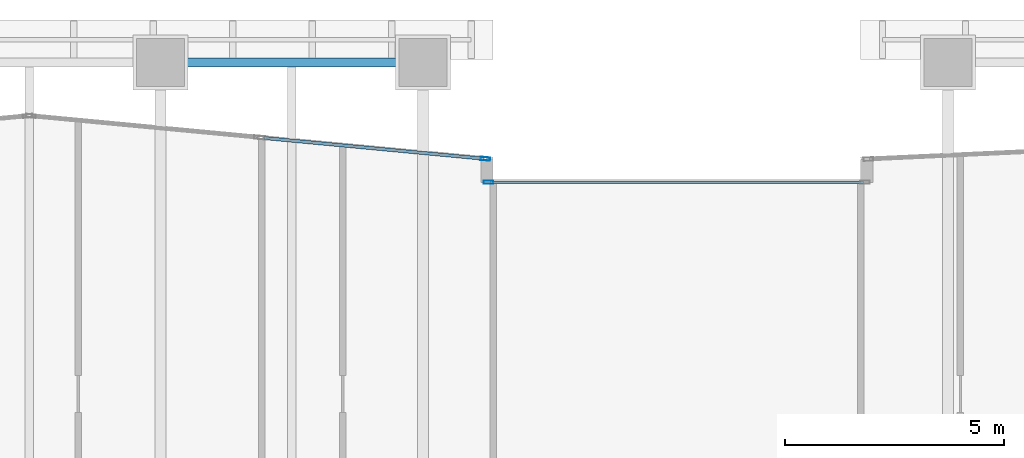
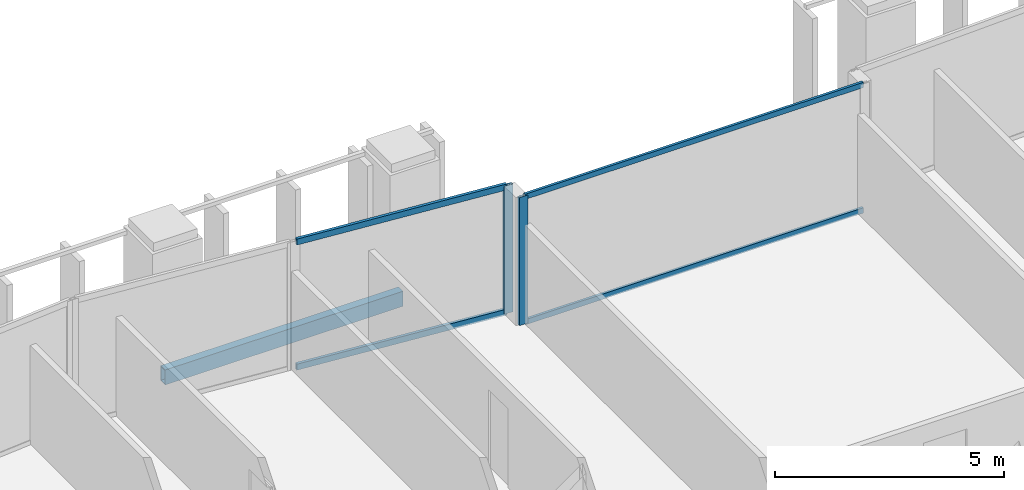
# One storey, part 10 of 32: 6 members, 1 beam, 2 elements without a shape of their own.
"""IFC4 building model written with IfcOpenShell, lengths in metres."""

from ifc_helpers import new_model, si_unit, direction, frame, origin, origin_2d, place, context, subcontext, project, spatial, hollow_rectangle, extrude, material, layer, layer_set, material_profile, profile_set, type_object, element, aggregate, save


model = new_model("IFC4")

# Units and contexts
model_context = context("Model", 3, precision=1e-05, world=origin(), true_north=direction((0.0, 1.0)))
body_context = subcontext(model_context, "Body", "Model", "MODEL_VIEW")
ifc_project = project(units=[si_unit("LENGTHUNIT", "METRE"), si_unit("AREAUNIT", "SQUARE_METRE"), si_unit("VOLUMEUNIT", "CUBIC_METRE"), si_unit("PLANEANGLEUNIT", "RADIAN"), si_unit("MASSUNIT", "GRAM", prefix="KILO")], contexts=[model_context])

# Site, building, storey
site_placement = place(None, origin())
site = spatial("IfcSite", under=ifc_project, at=site_placement, CompositionType="ELEMENT")
building_placement = place(site_placement, origin())
building = spatial("IfcBuilding", under=site, at=building_placement, Name="Tanjung Sevakor Pilgrim Tower", CompositionType="ELEMENT")
storey_placement = place(building_placement, frame((0.0, 0.0, 62.3701171875)))
storey = spatial("IfcBuildingStorey", under=building, at=storey_placement, Name="L17", CompositionType="ELEMENT", Elevation=62.3701171875)

# Beam
ifc_material_1 = material(Name="Steel S355J2", Category="steel")
ifc_material_profile_1 = material_profile(ifc_material_1, hollow_rectangle(XDim=0.199951171875, YDim=0.39990234375, WallThickness=0.01611328125, at=origin_2d()))
ifc_profile_set_1 = profile_set([ifc_material_profile_1], Name="Steel S355J2")
beam_type = type_object("IfcBeamType", Name="BM-B-SP2-RHS_400x200x16", PredefinedType="SPANDREL", material=ifc_profile_set_1)
beam_placement = place(storey_placement, frame((36.0, 58.800048828125, -0.420166015625), z_axis=(1.0, 0.0, 0.0), x_axis=(0.0, 1.0, 0.0)))
element("IfcBeam", 1, at=beam_placement, inside=storey, type_object=beam_type, Name="L17 Spandrel MAIN N-06", PredefinedType="SPANDREL", context=body_context, shape_type="SweptSolid", body=[
    extrude(hollow_rectangle(XDim=0.199951171875, YDim=0.39990234375, WallThickness=0.01611328125, at=origin_2d()), origin(), (0.0, 0.0, 1.0), 6.0),
])

# Curtain wall, member
ifc_material_2 = material(Name="Aluminium 6063-T6 and Low-E Glass", Category="aluminium")
ifc_layer_1 = layer(ifc_material_2, 0.179931640625)
ifc_layer_set_1 = layer_set([ifc_layer_1], Name="CW-SYS-CLEFT")
curtain_wall_type_1 = type_object("IfcCurtainWallType", Name="CW-SYS-CLEFT", PredefinedType="NOTDEFINED", material=ifc_layer_set_1)
curtain_wall_1_placement = place(storey_placement, origin())
curtain_wall_1 = element("IfcCurtainWall", 2, at=curtain_wall_1_placement, inside=storey, type_object=curtain_wall_type_1, Name="L17 Curtain Wall CW-CLF-L17-25", PredefinedType="NOTDEFINED")
ifc_material_3 = material(Name="Aluminium 6063-T6", Category="aluminium")
ifc_material_profile_2 = material_profile(ifc_material_3, hollow_rectangle(XDim=0.074951171875, YDim=0.219970703125, WallThickness=0.0048828125, at=origin_2d()))
ifc_profile_set_2 = profile_set([ifc_material_profile_2], Name="Aluminium 6063-T6")
member_type_1 = type_object("IfcMemberType", Name="TYPE-CWM-2", PredefinedType="MULLION", material=ifc_profile_set_2)
member_1_placement = place(storey_placement, frame((43.49755859375, 56.06005859375, 0.0), z_axis=(0.0, 0.0, 1.0), x_axis=(0.0, -1.0, 0.0)))
member_1 = element("IfcMember", 3, at=member_1_placement, type_object=member_type_1, Name="CW-CLF mullion 2", PredefinedType="MULLION", context=body_context, shape_type="SweptSolid", body=[
    extrude(hollow_rectangle(XDim=0.074951171875, YDim=0.219970703125, WallThickness=0.0048828125, at=origin_2d()), origin(), (0.0, 0.0, 1.0), 3.409912109375),
])

ifc_material_4 = material(Name="Aluminium 6063-T6 and Low-E Glass", Category="aluminium")
ifc_layer_2 = layer(ifc_material_4, 0.199951171875)
ifc_layer_set_2 = layer_set([ifc_layer_2], Name="CW-SYS-PRAY")
curtain_wall_type_2 = type_object("IfcCurtainWallType", Name="CW-SYS-PRAY", PredefinedType="NOTDEFINED", material=ifc_layer_set_2)
curtain_wall_2_placement = place(storey_placement, origin())
curtain_wall_2 = element("IfcCurtainWall", 4, at=curtain_wall_2_placement, inside=storey, type_object=curtain_wall_type_2, Name="L17 Curtain Wall CW-PRY-L17-27", PredefinedType="NOTDEFINED")
member_2_placement = place(storey_placement, frame((43.422607421875, 56.59619140625, 0.0), z_axis=(0.0, 0.0, 1.0), x_axis=(-0.093917195845, -0.995580012015, 0.0)))
member_2 = element("IfcMember", 5, at=member_2_placement, type_object=member_type_1, Name="CW-PRY mullion 1", PredefinedType="MULLION", context=body_context, shape_type="SweptSolid", body=[
    extrude(hollow_rectangle(XDim=0.074951171875, YDim=0.219970703125, WallThickness=0.0048828125, at=origin_2d()), origin(), (0.0, 0.0, 1.0), 3.409912109375),
])

# Member
ifc_material_5 = material(Name="Aluminium 6063-T6", Category="aluminium")
ifc_material_profile_3 = material_profile(ifc_material_5, hollow_rectangle(XDim=0.06494140625, YDim=0.139892578125, WallThickness=0.00390625, at=origin_2d()))
ifc_profile_set_3 = profile_set([ifc_material_profile_3], Name="Aluminium 6063-T6")
member_type_2 = type_object("IfcMemberType", Name="TYPE-CWT-1", PredefinedType="USERDEFINED", material=ifc_profile_set_3)
member_3_placement = place(storey_placement, frame((52.06494140625, 56.06005859375, 0.032470703125), z_axis=(-1.0, 0.0, 0.0), x_axis=(0.0, -1.0, 0.0)))
member_3 = element("IfcMember", 6, at=member_3_placement, type_object=member_type_2, Name="CW-CLF transom 1.1", ObjectType="TRANSOM", PredefinedType="USERDEFINED", context=body_context, shape_type="SweptSolid", body=[
    extrude(hollow_rectangle(XDim=0.06494140625, YDim=0.139892578125, WallThickness=0.00390625, at=origin_2d()), origin(), (0.0, 0.0, 1.0), 8.530029296875),
])

member_4_placement = place(storey_placement, frame((52.06494140625, 56.06005859375, 3.37744140625), z_axis=(-1.0, 0.0, 0.0), x_axis=(0.0, -1.0, 0.0)))
member_4 = element("IfcMember", 7, at=member_4_placement, type_object=member_type_2, Name="CW-CLF transom 1.2", ObjectType="TRANSOM", PredefinedType="USERDEFINED", context=body_context, shape_type="SweptSolid", body=[
    extrude(hollow_rectangle(XDim=0.06494140625, YDim=0.139892578125, WallThickness=0.00390625, at=origin_2d()), origin(), (0.0, 0.0, 1.0), 8.530029296875),
])

aggregate(curtain_wall_1, [member_1, member_3, member_4])

ifc_material_6 = material(Name="Aluminium 6063-T6", Category="aluminium")
ifc_material_profile_4 = material_profile(ifc_material_6, hollow_rectangle(XDim=0.074951171875, YDim=0.159912109375, WallThickness=0.00439453125, at=origin_2d()))
ifc_profile_set_4 = profile_set([ifc_material_profile_4], Name="Aluminium 6063-T6")
member_type_3 = type_object("IfcMemberType", Name="TYPE-CWT-2", PredefinedType="USERDEFINED", material=ifc_profile_set_4)
member_5_placement = place(storey_placement, frame((43.38525390625, 56.599609375, 0.037353515625), z_axis=(-0.995580526999, 0.093911736546, 0.0), x_axis=(-0.093911736546, -0.995580526999, 0.0)))
member_5 = element("IfcMember", 8, at=member_5_placement, type_object=member_type_3, Name="CW-PRY transom 1.1", ObjectType="TRANSOM", PredefinedType="USERDEFINED", context=body_context, shape_type="SweptSolid", body=[
    extrude(hollow_rectangle(XDim=0.074951171875, YDim=0.159912109375, WallThickness=0.00439453125, at=origin_2d()), origin(), (0.0, 0.0, 1.0), 5.0458984375),
])

member_6_placement = place(storey_placement, frame((43.38525390625, 56.599609375, 3.372314453125), z_axis=(-0.995580526999, 0.093911736546, 0.0), x_axis=(-0.093911736546, -0.995580526999, 0.0)))
member_6 = element("IfcMember", 9, at=member_6_placement, type_object=member_type_3, Name="CW-PRY transom 1.2", ObjectType="TRANSOM", PredefinedType="USERDEFINED", context=body_context, shape_type="SweptSolid", body=[
    extrude(hollow_rectangle(XDim=0.074951171875, YDim=0.159912109375, WallThickness=0.00439453125, at=origin_2d()), origin(), (0.0, 0.0, 1.0), 5.0458984375),
])

aggregate(curtain_wall_2, [member_2, member_5, member_6])

save(model, "model.ifc")
